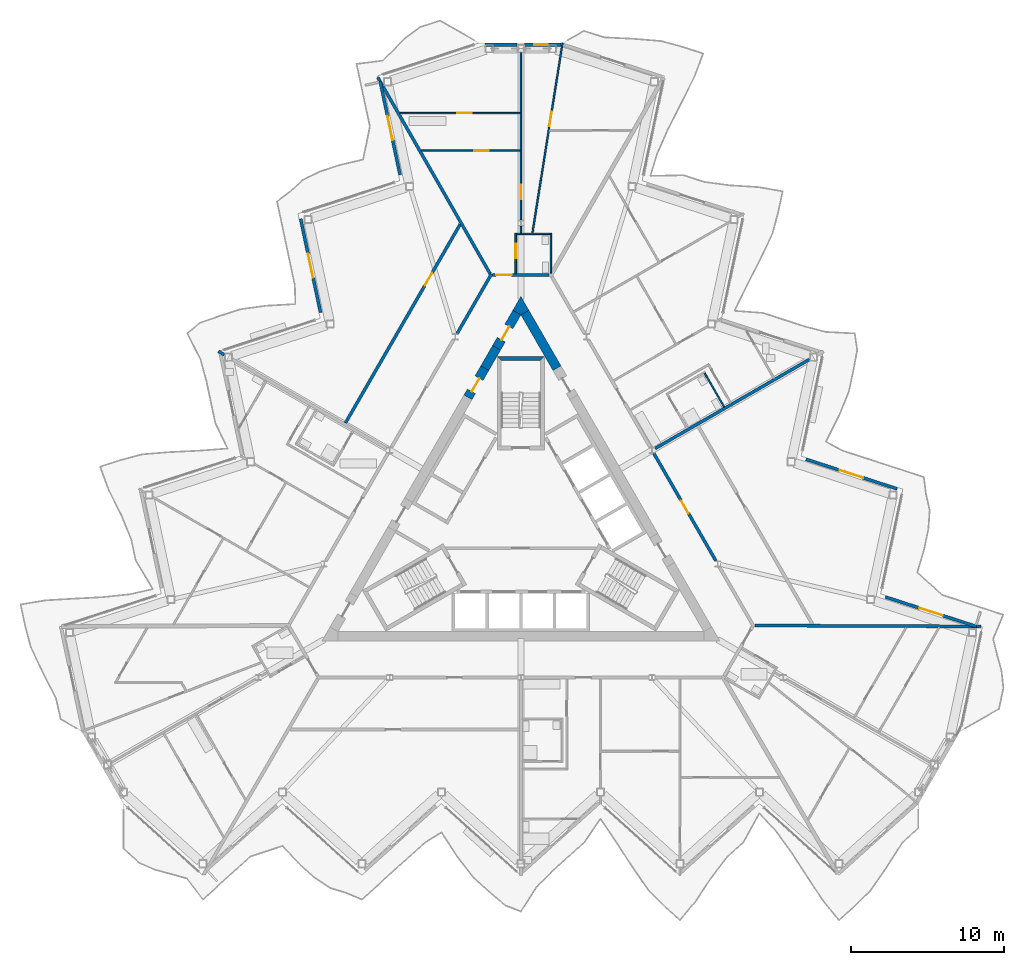
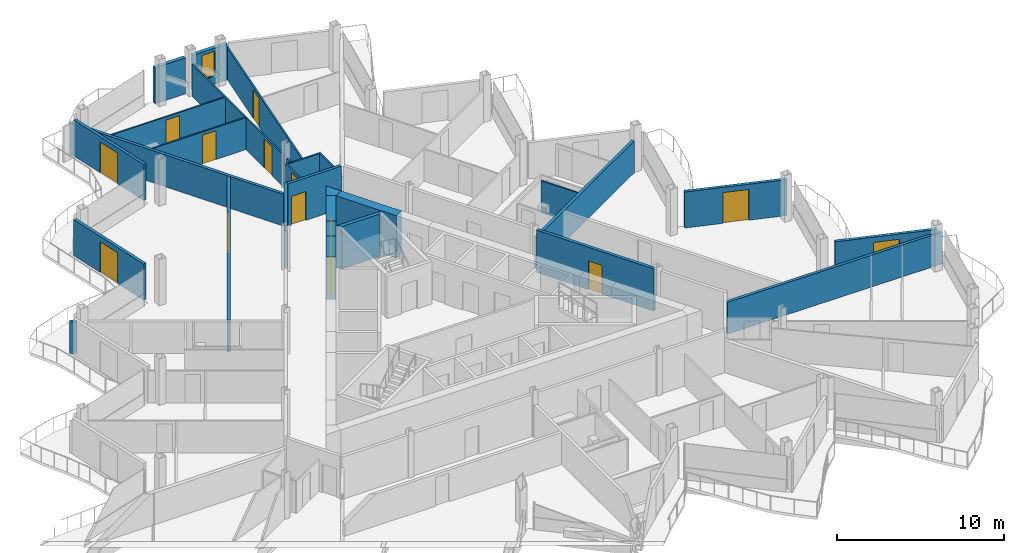
# One storey, part 17 of 27: 29 walls, 14 doors, 1 window, 15 openings.
"""IFC4 building model written with IfcOpenShell, lengths in metres."""

from ifc_helpers import new_model, si_unit, direction, frame, frame_2d, origin, place, context, subcontext, project, spatial, polyline, rectangle, outline, extrude, material, layer, layer_set, type_object, element, fill, save


model = new_model("IFC4")

# Units and contexts
model_context = context("Model", 3, precision=1e-05, world=origin(), true_north=direction((0.0, 1.0)))
body_context = subcontext(model_context, "Body", "Model", "MODEL_VIEW")
ifc_project = project(units=[si_unit("LENGTHUNIT", "METRE"), si_unit("AREAUNIT", "SQUARE_METRE"), si_unit("VOLUMEUNIT", "CUBIC_METRE"), si_unit("PLANEANGLEUNIT", "RADIAN"), si_unit("MASSUNIT", "GRAM", prefix="KILO")], contexts=[model_context])

# Site, building, storey
site_placement = place(None, origin())
site = spatial("IfcSite", under=ifc_project, at=site_placement, CompositionType="ELEMENT")
building_placement = place(site_placement, origin())
building = spatial("IfcBuilding", under=site, at=building_placement, Name="Cormorant Prow Tower", CompositionType="ELEMENT")
storey_placement = place(building_placement, frame((0.0, 0.0, 361.0)))
storey = spatial("IfcBuildingStorey", under=building, at=storey_placement, Name="L80", CompositionType="ELEMENT", Elevation=361.0)

# Walls
ifc_material_1 = material(Name="Concrete 8000 psi", Category="concrete")
ifc_layer_1 = layer(ifc_material_1, 0.60009765625)
ifc_layer_set_1 = layer_set([ifc_layer_1], Name="Concrete 8000 psi")
wall_type_1 = type_object("IfcWallType", Name="Core shear wall 600", PredefinedType="SHEAR", material=ifc_layer_set_1)
wall_1_placement = place(storey_placement, frame((2.36083984375, 10.322021484375, 0.0), z_axis=(0.0, 0.0, 1.0), x_axis=(-0.500000735859, 0.866024978935, 0.0)))
element("IfcWall", 1, at=wall_1_placement, inside=storey, type_object=wall_type_1, Name="Core wall", PredefinedType="SHEAR", context=body_context, shape_type="SweptSolid", body=[
    extrude(rectangle(XDim=4.2021484375, YDim=0.60009765625, at=frame_2d((2.10107421875, 0.0))), origin(), (0.0, 0.0, 1.0), 3.10009765625),
])
wall_2_placement = place(storey_placement, frame((-1.589599609375, 11.65771484375, 0.0), z_axis=(0.0, 0.0, 1.0), x_axis=(-0.500037594623, -0.866003697431, 0.0)))
element("IfcWall", 2, at=wall_2_placement, inside=storey, type_object=wall_type_1, Name="Core wall", PredefinedType="SHEAR", context=body_context, shape_type="SweptSolid", body=[
    extrude(rectangle(XDim=1.54248046875, YDim=0.60009765625, at=frame_2d((0.771240234375, 0.0))), origin(), (0.0, 0.0, 1.0), 3.10009765625),
])
wall_3_placement = place(storey_placement, origin())
element("IfcWall", 3, at=wall_3_placement, inside=storey, type_object=wall_type_1, Name="Core wall corner", PredefinedType="SHEAR", context=body_context, shape_type="SweptSolid", body=[
    extrude(outline(polyline([(0.0, 13.81103515625), (-0.51953125, 14.111083984375), (0.0, 15.010986328125), (0.51953125, 14.111083984375), (0.0, 13.81103515625)])), origin(), (0.0, 0.0, 1.0), 3.10009765625),
])

# Wall, opening, door
wall_4_placement = place(storey_placement, frame((-2.36083984375, 10.322021484375, 0.0), z_axis=(0.0, 0.0, 1.0), x_axis=(-0.499946605688, -0.86605622881, 0.0)))
wall_4 = element("IfcWall", 4, at=wall_4_placement, inside=storey, type_object=wall_type_1, Name="Core wall door panel", PredefinedType="SHEAR", context=body_context, shape_type="SweptSolid", body=[
    extrude(rectangle(XDim=2.199951171875, YDim=0.60009765625, at=frame_2d((1.10009765625, 0.0))), origin(), (0.0, 0.0, 1.0), 3.10009765625),
])
opening_1_placement = place(wall_4_placement, frame((0.75, 0.0, 0.0)))
opening_1 = element("IfcOpeningElement", 5, at=opening_1_placement, cuts=wall_4, Name="Opening L80-C18", PredefinedType="OPENING", context=body_context, shape_type="SweptSolid", body=[
    extrude(rectangle(XDim=1.0, YDim=2.10009765625, at=frame_2d((0.5, 1.050048828125))), frame((0.0, 0.31005859375, 0.0), z_axis=(0.0, -1.0, 0.0), x_axis=(1.0, 0.0, 0.0)), (0.0, 0.0, 1.0), 0.6201171875),
])
ifc_material_2 = material(Name="Painted steel", Category="steel")
door_type_1 = type_object("IfcDoorType", Name="Service door 1000x2100", OperationType="NOTDEFINED", PredefinedType="DOOR", material=ifc_material_2)
door_1_placement = place(opening_1_placement, origin())
door_1 = element("IfcDoor", 6, at=door_1_placement, inside=storey, type_object=door_type_1, Name="Core door, Mechanical riser room", OperationType="SINGLE_SWING_LEFT", OverallHeight=2.10009765625, OverallWidth=1.0, PredefinedType="DOOR", context=body_context, shape_type="SweptSolid", body=[
    extrude(rectangle(XDim=1.0, YDim=2.10009765625, at=frame_2d((0.5, 1.050048828125))), frame((0.0, 0.05517578125, 0.0), z_axis=(0.0, -1.0, 0.0), x_axis=(1.0, 0.0, 0.0)), (0.0, 0.0, 1.0), 0.050048828125),
])
fill(opening_1, door_1)

wall_5_placement = place(storey_placement, frame((-0.259765625, 13.961181640625, 0.0), z_axis=(0.0, 0.0, 1.0), x_axis=(-0.49997936161, -0.866037319036, 0.0)))
wall_5 = element("IfcWall", 7, at=wall_5_placement, inside=storey, type_object=wall_type_1, Name="Core wall door panel", PredefinedType="SHEAR", context=body_context, shape_type="SweptSolid", body=[
    extrude(rectangle(XDim=2.65966796875, YDim=0.60009765625, at=frame_2d((1.329833984375, 0.0))), origin(), (0.0, 0.0, 1.0), 3.10009765625),
])
opening_2_placement = place(wall_5_placement, frame((1.050048828125, 0.0, 0.0)))
opening_2 = element("IfcOpeningElement", 8, at=opening_2_placement, cuts=wall_5, Name="Opening L80-C19", PredefinedType="OPENING", context=body_context, shape_type="SweptSolid", body=[
    extrude(rectangle(XDim=1.0, YDim=2.10009765625, at=frame_2d((0.5, 1.050048828125))), frame((0.0, 0.31005859375, 0.0), z_axis=(0.0, -1.0, 0.0), x_axis=(1.0, 0.0, 0.0)), (0.0, 0.0, 1.0), 0.6201171875),
])
door_2_placement = place(opening_2_placement, origin())
door_2 = element("IfcDoor", 9, at=door_2_placement, inside=storey, type_object=door_type_1, Name="Core door, Mechanical riser room", OperationType="SINGLE_SWING_RIGHT", OverallHeight=2.10009765625, OverallWidth=1.0, PredefinedType="DOOR", context=body_context, shape_type="SweptSolid", body=[
    extrude(rectangle(XDim=1.0, YDim=2.10009765625, at=frame_2d((0.5, 1.050048828125))), frame((0.0, 0.05517578125, 0.0), z_axis=(0.0, -1.0, 0.0), x_axis=(1.0, 0.0, 0.0)), (0.0, 0.0, 1.0), 0.050048828125),
])
fill(opening_2, door_2)

ifc_material_3 = material(Name="Gypsum board corridor wall")
ifc_layer_2 = layer(ifc_material_3, 0.199951171875)
ifc_layer_set_2 = layer_set([ifc_layer_2], Name="Gypsum board corridor wall")
wall_type_2 = type_object("IfcWallType", Name="Corridor wall 200", PredefinedType="PARTITIONING", material=ifc_layer_set_2)
wall_6_placement = place(storey_placement, frame((8.692138671875, 4.755859375, 0.0), z_axis=(0.0, 0.0, 1.0), x_axis=(0.500001682468, -0.866024432409, 0.0)))
wall_6 = element("IfcWall", 10, at=wall_6_placement, inside=storey, type_object=wall_type_2, Name="Corridor wall", PredefinedType="PARTITIONING", context=body_context, shape_type="SweptSolid", body=[
    extrude(rectangle(XDim=8.12353515625, YDim=0.199951171875, at=frame_2d((4.061767578125, 0.0))), origin(), (0.0, 0.0, 1.0), 3.10009765625),
])
opening_3_placement = place(wall_6_placement, frame((3.586669921875, 0.0, 0.0)))
opening_3 = element("IfcOpeningElement", 11, at=opening_3_placement, cuts=wall_6, Name="Opening L80-F18", PredefinedType="OPENING", context=body_context, shape_type="SweptSolid", body=[
    extrude(rectangle(XDim=0.949951171875, YDim=2.10009765625, at=frame_2d((0.47509765625, 1.050048828125))), frame((0.0, 0.10986328125, 0.0), z_axis=(0.0, -1.0, 0.0), x_axis=(1.0, 0.0, 0.0)), (0.0, 0.0, 1.0), 0.219970703125),
])
ifc_material_4 = material(Name="Timber door leaf", Category="wood")
door_type_2 = type_object("IfcDoorType", Name="Store door 950x2100", OperationType="NOTDEFINED", PredefinedType="DOOR", material=ifc_material_4)
door_3_placement = place(opening_3_placement, origin())
door_3 = element("IfcDoor", 12, at=door_3_placement, inside=storey, type_object=door_type_2, Name="Bicycle store door", OperationType="SINGLE_SWING_LEFT", OverallHeight=2.10009765625, OverallWidth=0.949951171875, PredefinedType="DOOR", context=body_context, shape_type="SweptSolid", body=[
    extrude(rectangle(XDim=0.949951171875, YDim=2.10009765625, at=frame_2d((0.47509765625, 1.050048828125))), frame((0.0, 0.02490234375, 0.0), z_axis=(0.0, -1.0, 0.0), x_axis=(1.0, 0.0, 0.0)), (0.0, 0.0, 1.0), 0.050048828125),
])
fill(opening_3, door_3)

# Wall
wall_7_placement = place(storey_placement, frame((-4.175537109375, 12.578857421875, 0.0), z_axis=(0.0, 0.0, 1.0), x_axis=(0.499974648164, 0.866040040179, 0.0)))
element("IfcWall", 13, at=wall_7_placement, inside=storey, type_object=wall_type_2, Name="Corridor wall", PredefinedType="PARTITIONING", context=body_context, shape_type="SweptSolid", body=[
    extrude(rectangle(XDim=4.525146484375, YDim=0.199951171875, at=frame_2d((2.2626953125, 0.0))), origin(), (0.0, 0.0, 1.0), 3.10009765625),
])

# Wall, opening, door
wall_8_placement = place(storey_placement, frame((-1.863037109375, 16.4111328125, 0.0), z_axis=(0.0, 0.0, 1.0), x_axis=(1.0, 0.0, 0.0)))
wall_8 = element("IfcWall", 14, at=wall_8_placement, inside=storey, type_object=wall_type_2, Name="Corridor wall", PredefinedType="PARTITIONING", context=body_context, shape_type="SweptSolid", body=[
    extrude(rectangle(XDim=3.700927734375, YDim=0.199951171875, at=frame_2d((1.8505859375, 0.0))), origin(), (0.0, 0.0, 1.0), 3.10009765625),
])
opening_4_placement = place(wall_8_placement, frame((0.25, 0.0, 0.0)))
opening_4 = element("IfcOpeningElement", 15, at=opening_4_placement, cuts=wall_8, Name="Opening L80-F28", PredefinedType="OPENING", context=body_context, shape_type="SweptSolid", body=[
    extrude(rectangle(XDim=1.0, YDim=2.10009765625, at=frame_2d((0.5, 1.050048828125))), frame((0.0, 0.10986328125, 0.0), z_axis=(0.0, -1.0, 0.0), x_axis=(1.0, 0.0, 0.0)), (0.0, 0.0, 1.0), 0.219970703125),
])
ifc_material_5 = material(Name="Timber door leaf", Category="wood")
door_type_3 = type_object("IfcDoorType", Name="Flat or room entrance door 1000x2100", OperationType="NOTDEFINED", PredefinedType="DOOR", material=ifc_material_5)
door_4_placement = place(opening_4_placement, origin())
door_4 = element("IfcDoor", 16, at=door_4_placement, inside=storey, type_object=door_type_3, Name="Living room door", OperationType="SINGLE_SWING_RIGHT", OverallHeight=2.10009765625, OverallWidth=1.0, PredefinedType="DOOR", context=body_context, shape_type="SweptSolid", body=[
    extrude(rectangle(XDim=1.0, YDim=2.10009765625, at=frame_2d((0.5, 1.050048828125))), frame((0.0, 0.02490234375, 0.0), z_axis=(0.0, -1.0, 0.0), x_axis=(1.0, 0.0, 0.0)), (0.0, 0.0, 1.0), 0.050048828125),
])
fill(opening_4, door_4)

ifc_material_6 = material(Name="Gypsum board demising wall")
ifc_layer_3 = layer(ifc_material_6, 0.199951171875)
ifc_layer_set_3 = layer_set([ifc_layer_3], Name="Gypsum board demising wall")
wall_type_3 = type_object("IfcWallType", Name="Demising wall 200", PredefinedType="PARTITIONING", material=ifc_layer_set_3)
wall_9_placement = place(storey_placement, frame((-11.472900390625, 6.739501953125, 0.0), z_axis=(0.0, 0.0, 1.0), x_axis=(0.499993542657, 0.866029131901, 0.0)))
wall_9 = element("IfcWall", 17, at=wall_9_placement, inside=storey, type_object=wall_type_3, Name="Demising wall", PredefinedType="PARTITIONING", context=body_context, shape_type="SweptSolid", body=[
    extrude(rectangle(XDim=14.993896484375, YDim=0.199951171875, at=frame_2d((7.4970703125, 0.0))), origin(), (0.0, 0.0, 1.0), 2.330078125),
])
opening_5_placement = place(wall_9_placement, frame((10.3828125, 0.0, 0.0)))
opening_5 = element("IfcOpeningElement", 18, at=opening_5_placement, cuts=wall_9, Name="Opening L80-F36", PredefinedType="OPENING", context=body_context, shape_type="SweptSolid", body=[
    extrude(rectangle(XDim=0.949951171875, YDim=2.10009765625, at=frame_2d((0.47509765625, 1.050048828125))), frame((0.0, 0.10986328125, 0.0), z_axis=(0.0, -1.0, 0.0), x_axis=(1.0, 0.0, 0.0)), (0.0, 0.0, 1.0), 0.219970703125),
])
door_5_placement = place(opening_5_placement, origin())
door_5 = element("IfcDoor", 19, at=door_5_placement, inside=storey, type_object=door_type_2, Name="Bicycle store door", OperationType="SINGLE_SWING_RIGHT", OverallHeight=2.10009765625, OverallWidth=0.949951171875, PredefinedType="DOOR", context=body_context, shape_type="SweptSolid", body=[
    extrude(rectangle(XDim=0.949951171875, YDim=2.10009765625, at=frame_2d((0.47509765625, 1.050048828125))), frame((0.0, 0.02490234375, 0.0), z_axis=(0.0, -1.0, 0.0), x_axis=(1.0, 0.0, 0.0)), (0.0, 0.0, 1.0), 0.050048828125),
])
fill(opening_5, door_5)

# Walls
for number, where, z_axis, x_axis, name in (
    (20, (15.2939453125, -6.505859375, 0.0), (0.0, 0.0, 1.0), (0.99999116141, -0.004204414611, 0.0), "Demising wall"),
    (21, (-9.3623046875, 29.352294921875, 0.0), (0.0, 0.0, 1.0), (0.496351997927, -0.868121359116, 0.0), "Demising wall"),
):
    element("IfcWall", number, at=place(storey_placement, frame(where, z_axis=z_axis, x_axis=x_axis)), inside=storey, type_object=wall_type_3, Name=name, PredefinedType="PARTITIONING", context=body_context, shape_type="SweptSolid", body=[
        extrude(rectangle(XDim=14.807373046875, YDim=0.199951171875, at=frame_2d((7.40380859375, 0.0))), origin(), (0.0, 0.0, 1.0), 2.330078125),
    ])
wall_10_placement = place(storey_placement, frame((8.775390625, 5.06640625, 0.0), z_axis=(0.0, 0.0, 1.0), x_axis=(0.866023724155, 0.500002909193, 0.0)))
element("IfcWall", 22, at=wall_10_placement, inside=storey, type_object=wall_type_3, Name="Demising wall", PredefinedType="PARTITIONING", context=body_context, shape_type="SweptSolid", body=[
    extrude(rectangle(XDim=11.65478515625, YDim=0.199951171875, at=frame_2d((5.827392578125, 0.0))), origin(), (0.0, 0.0, 1.0), 2.330078125),
])
wall_11_placement = place(storey_placement, frame((-19.779541015625, 11.419677734375, 0.0), z_axis=(0.0, 0.0, 1.0), x_axis=(0.866104518135, -0.499862944882, 0.0)))
element("IfcWall", 23, at=wall_11_placement, inside=storey, type_object=wall_type_3, Name="Demising wall", PredefinedType="PARTITIONING", context=body_context, shape_type="SweptSolid", body=[
    extrude(rectangle(XDim=0.451416015625, YDim=0.199951171875, at=frame_2d((0.2255859375, 0.0))), origin(), (0.0, 0.0, 1.0), 2.330078125),
])

# Wall, opening, door
ifc_material_7 = material(Name="Gypsum board partition")
ifc_layer_4 = layer(ifc_material_7, 0.10009765625)
ifc_layer_set_4 = layer_set([ifc_layer_4], Name="Gypsum board partition")
wall_type_4 = type_object("IfcWallType", Name="Internal partition 100", PredefinedType="PARTITIONING", material=ifc_layer_set_4)
wall_12_placement = place(storey_placement, frame((0.755126953125, 19.160400390625, 0.0), z_axis=(0.0, 0.0, 1.0), x_axis=(0.15643456532, 0.987688324712, 0.0)))
wall_12 = element("IfcWall", 24, at=wall_12_placement, inside=storey, type_object=wall_type_4, Name="Internal partition", PredefinedType="PARTITIONING", context=body_context, shape_type="SweptSolid", body=[
    extrude(rectangle(XDim=12.58984375, YDim=0.10009765625, at=frame_2d((6.294921875, 0.0))), origin(), (0.0, 0.0, 1.0), 2.330078125),
])
opening_6_placement = place(wall_12_placement, frame((7.074462890625, 0.0, 0.0)))
opening_6 = element("IfcOpeningElement", 25, at=opening_6_placement, cuts=wall_12, Name="Opening L80-F33", PredefinedType="OPENING", context=body_context, shape_type="SweptSolid", body=[
    extrude(rectangle(XDim=0.949951171875, YDim=2.10009765625, at=frame_2d((0.47509765625, 1.050048828125))), frame((0.0, 0.06005859375, 0.0), z_axis=(0.0, -1.0, 0.0), x_axis=(1.0, 0.0, 0.0)), (0.0, 0.0, 1.0), 0.1201171875),
])
ifc_material_8 = material(Name="Timber door leaf", Category="wood")
door_type_4 = type_object("IfcDoorType", Name="Bathroom door 950x2100", OperationType="NOTDEFINED", PredefinedType="DOOR", material=ifc_material_8)
door_6_placement = place(opening_6_placement, origin())
door_6 = element("IfcDoor", 26, at=door_6_placement, inside=storey, type_object=door_type_4, Name="Bedroom door", OperationType="SINGLE_SWING_LEFT", OverallHeight=2.10009765625, OverallWidth=0.949951171875, PredefinedType="DOOR", context=body_context, shape_type="SweptSolid", body=[
    extrude(rectangle(XDim=0.949951171875, YDim=2.10009765625, at=frame_2d((0.47509765625, 1.050048828125))), frame((0.0, 0.02490234375, 0.0), z_axis=(0.0, -1.0, 0.0), x_axis=(1.0, 0.0, 0.0)), (0.0, 0.0, 1.0), 0.050048828125),
])
fill(opening_6, door_6)

wall_13_placement = place(storey_placement, frame((0.0, 20.008056640625, 0.0), z_axis=(0.0, 0.0, 1.0), x_axis=(0.0, 1.0, 0.0)))
wall_13 = element("IfcWall", 27, at=wall_13_placement, inside=storey, type_object=wall_type_4, Name="Internal partition", PredefinedType="PARTITIONING", context=body_context, shape_type="SweptSolid", body=[
    extrude(rectangle(XDim=10.951416015625, YDim=0.10009765625, at=frame_2d((5.4755859375, 0.0))), origin(), (0.0, 0.0, 1.0), 2.330078125),
])
opening_7_placement = place(wall_13_placement, frame((1.35009765625, 0.0, 0.0)))
opening_7 = element("IfcOpeningElement", 28, at=opening_7_placement, cuts=wall_13, Name="Opening L80-F32", PredefinedType="OPENING", context=body_context, shape_type="SweptSolid", body=[
    extrude(rectangle(XDim=0.949951171875, YDim=2.10009765625, at=frame_2d((0.47509765625, 1.050048828125))), frame((0.0, 0.06005859375, 0.0), z_axis=(0.0, -1.0, 0.0), x_axis=(1.0, 0.0, 0.0)), (0.0, 0.0, 1.0), 0.1201171875),
])
door_7_placement = place(opening_7_placement, origin())
door_7 = element("IfcDoor", 29, at=door_7_placement, inside=storey, type_object=door_type_4, Name="Living room door", OperationType="SINGLE_SWING_LEFT", OverallHeight=2.10009765625, OverallWidth=0.949951171875, PredefinedType="DOOR", context=body_context, shape_type="SweptSolid", body=[
    extrude(rectangle(XDim=0.949951171875, YDim=2.10009765625, at=frame_2d((0.47509765625, 1.050048828125))), frame((0.0, 0.02490234375, 0.0), z_axis=(0.0, -1.0, 0.0), x_axis=(1.0, 0.0, 0.0)), (0.0, 0.0, 1.0), 0.050048828125),
])
fill(opening_7, door_7)

wall_14_placement = place(storey_placement, frame((-7.92236328125, 27.008544921875, 0.0), z_axis=(0.0, 0.0, 1.0), x_axis=(1.0, 0.0, 0.0)))
wall_14 = element("IfcWall", 30, at=wall_14_placement, inside=storey, type_object=wall_type_4, Name="Internal partition", PredefinedType="PARTITIONING", context=body_context, shape_type="SweptSolid", body=[
    extrude(rectangle(XDim=7.872314453125, YDim=0.10009765625, at=frame_2d((3.93603515625, 0.0))), origin(), (0.0, 0.0, 1.0), 2.330078125),
])
opening_8_placement = place(wall_14_placement, frame((3.76220703125, 0.0, 0.0)))
opening_8 = element("IfcOpeningElement", 31, at=opening_8_placement, cuts=wall_14, Name="Opening L80-F31", PredefinedType="OPENING", context=body_context, shape_type="SweptSolid", body=[
    extrude(rectangle(XDim=0.949951171875, YDim=2.10009765625, at=frame_2d((0.47509765625, 1.050048828125))), frame((0.0, 0.06005859375, 0.0), z_axis=(0.0, -1.0, 0.0), x_axis=(1.0, 0.0, 0.0)), (0.0, 0.0, 1.0), 0.1201171875),
])
door_8_placement = place(opening_8_placement, origin())
door_8 = element("IfcDoor", 32, at=door_8_placement, inside=storey, type_object=door_type_4, Name="Kitchen door", OperationType="SINGLE_SWING_LEFT", OverallHeight=2.10009765625, OverallWidth=0.949951171875, PredefinedType="DOOR", context=body_context, shape_type="SweptSolid", body=[
    extrude(rectangle(XDim=0.949951171875, YDim=2.10009765625, at=frame_2d((0.47509765625, 1.050048828125))), frame((0.0, 0.02490234375, 0.0), z_axis=(0.0, -1.0, 0.0), x_axis=(1.0, 0.0, 0.0)), (0.0, 0.0, 1.0), 0.050048828125),
])
fill(opening_8, door_8)

wall_15_placement = place(storey_placement, frame((-6.51611328125, 24.54931640625, 0.0), z_axis=(0.0, 0.0, 1.0), x_axis=(1.0, 0.0, 0.0)))
wall_15 = element("IfcWall", 33, at=wall_15_placement, inside=storey, type_object=wall_type_4, Name="Internal partition", PredefinedType="PARTITIONING", context=body_context, shape_type="SweptSolid", body=[
    extrude(rectangle(XDim=6.466064453125, YDim=0.10009765625, at=frame_2d((3.23291015625, 0.0))), origin(), (0.0, 0.0, 1.0), 2.330078125),
])
opening_9_placement = place(wall_15_placement, frame((3.46044921875, 0.0, 0.0)))
opening_9 = element("IfcOpeningElement", 34, at=opening_9_placement, cuts=wall_15, Name="Opening L80-F30", PredefinedType="OPENING", context=body_context, shape_type="SweptSolid", body=[
    extrude(rectangle(XDim=0.949951171875, YDim=2.10009765625, at=frame_2d((0.47509765625, 1.050048828125))), frame((0.0, 0.06005859375, 0.0), z_axis=(0.0, -1.0, 0.0), x_axis=(1.0, 0.0, 0.0)), (0.0, 0.0, 1.0), 0.1201171875),
])
door_9_placement = place(opening_9_placement, origin())
door_9 = element("IfcDoor", 35, at=door_9_placement, inside=storey, type_object=door_type_4, Name="Living room door", OperationType="SINGLE_SWING_LEFT", OverallHeight=2.10009765625, OverallWidth=0.949951171875, PredefinedType="DOOR", context=body_context, shape_type="SweptSolid", body=[
    extrude(rectangle(XDim=0.949951171875, YDim=2.10009765625, at=frame_2d((0.47509765625, 1.050048828125))), frame((0.0, 0.02490234375, 0.0), z_axis=(0.0, -1.0, 0.0), x_axis=(1.0, 0.0, 0.0)), (0.0, 0.0, 1.0), 0.050048828125),
])
fill(opening_9, door_9)

wall_16_placement = place(storey_placement, frame((-0.3369140625, 16.510986328125, 0.0), z_axis=(0.0, 0.0, 1.0), x_axis=(0.0, 1.0, 0.0)))
wall_16 = element("IfcWall", 36, at=wall_16_placement, inside=storey, type_object=wall_type_4, Name="Internal partition", PredefinedType="PARTITIONING", context=body_context, shape_type="SweptSolid", body=[
    extrude(rectangle(XDim=2.650146484375, YDim=0.10009765625, at=frame_2d((1.3251953125, 0.0))), origin(), (0.0, 0.0, 1.0), 2.330078125),
])
opening_10_placement = place(wall_16_placement, frame((1.013671875, 0.0, 0.0)))
opening_10 = element("IfcOpeningElement", 37, at=opening_10_placement, cuts=wall_16, Name="Opening L80-F29", PredefinedType="OPENING", context=body_context, shape_type="SweptSolid", body=[
    extrude(rectangle(XDim=0.949951171875, YDim=2.10009765625, at=frame_2d((0.47509765625, 1.050048828125))), frame((0.0, 0.06005859375, 0.0), z_axis=(0.0, -1.0, 0.0), x_axis=(1.0, 0.0, 0.0)), (0.0, 0.0, 1.0), 0.1201171875),
])
door_10_placement = place(opening_10_placement, origin())
door_10 = element("IfcDoor", 38, at=door_10_placement, inside=storey, type_object=door_type_4, Name="Living room door", OperationType="SINGLE_SWING_RIGHT", OverallHeight=2.10009765625, OverallWidth=0.949951171875, PredefinedType="DOOR", context=body_context, shape_type="SweptSolid", body=[
    extrude(rectangle(XDim=0.949951171875, YDim=2.10009765625, at=frame_2d((0.47509765625, 1.050048828125))), frame((0.0, 0.02490234375, 0.0), z_axis=(0.0, -1.0, 0.0), x_axis=(1.0, 0.0, 0.0)), (0.0, 0.0, 1.0), 0.050048828125),
])
fill(opening_10, door_10)

# Walls
wall_17_placement = place(storey_placement, frame((1.962890625, 16.5361328125, 0.0), z_axis=(0.0, 0.0, 1.0), x_axis=(0.0, 1.0, 0.0)))
element("IfcWall", 39, at=wall_17_placement, inside=storey, type_object=wall_type_4, Name="Internal partition", PredefinedType="PARTITIONING", context=body_context, shape_type="SweptSolid", body=[
    extrude(rectangle(XDim=2.625, YDim=0.10009765625, at=frame_2d((1.3125, 0.0))), origin(), (0.0, 0.0, 1.0), 2.330078125),
])
wall_18_placement = place(storey_placement, frame((12.0166015625, 9.997802734375, 0.0), z_axis=(0.0, 0.0, 1.0), x_axis=(0.499948979701, -0.866054858364, 0.0)))
element("IfcWall", 40, at=wall_18_placement, inside=storey, type_object=wall_type_4, Name="Internal partition", PredefinedType="PARTITIONING", context=body_context, shape_type="SweptSolid", body=[
    extrude(rectangle(XDim=2.550048828125, YDim=0.10009765625, at=frame_2d((1.27490234375, 0.0))), origin(), (0.0, 0.0, 1.0), 2.330078125),
])
wall_19_placement = place(storey_placement, frame((-0.287109375, 19.111083984375, 0.0), z_axis=(0.0, 0.0, 1.0), x_axis=(1.0, 0.0, 0.0)))
element("IfcWall", 41, at=wall_19_placement, inside=storey, type_object=wall_type_4, Name="Internal partition", PredefinedType="PARTITIONING", context=body_context, shape_type="SweptSolid", body=[
    extrude(rectangle(XDim=2.2001953125, YDim=0.10009765625, at=frame_2d((1.10009765625, 0.0))), origin(), (0.0, 0.0, 1.0), 2.330078125),
])
wall_20_placement = place(storey_placement, frame((0.0, 19.1611328125, 0.0), z_axis=(0.0, 0.0, 1.0), x_axis=(0.0, 1.0, 0.0)))
element("IfcWall", 42, at=wall_20_placement, inside=storey, type_object=wall_type_4, Name="Internal partition", PredefinedType="PARTITIONING", context=body_context, shape_type="SweptSolid", body=[
    extrude(rectangle(XDim=0.452880859375, YDim=0.10009765625, at=frame_2d((0.2265625, 0.0))), origin(), (0.0, 0.0, 1.0), 2.330078125),
])
ifc_material_9 = material(Name="Concrete 8000 psi", Category="concrete")
ifc_layer_5 = layer(ifc_material_9, 0.25)
ifc_layer_set_5 = layer_set([ifc_layer_5], Name="Concrete 8000 psi")
wall_type_5 = type_object("IfcWallType", Name="Stair wall 250", PredefinedType="SHEAR", material=ifc_layer_set_5)
wall_21_placement = place(storey_placement, origin())
element("IfcWall", 43, at=wall_21_placement, inside=storey, type_object=wall_type_5, Name="Stair ST3 enclosure wall (end)", PredefinedType="SHEAR", context=body_context, shape_type="SweptSolid", body=[
    extrude(outline(polyline([(1.5439453125, 11.0869140625), (-1.5439453125, 11.0869140625), (-1.2939453125, 10.8369140625), (1.2939453125, 10.8369140625), (1.5439453125, 11.0869140625)])), origin(), (0.0, 0.0, 1.0), 3.10009765625),
])

# Wall, opening, window
ifc_material_10 = material(Name="Terracotta", Category="masonry")
ifc_layer_6 = layer(ifc_material_10, 0.25)
ifc_layer_set_6 = layer_set([ifc_layer_6], Name="Terracotta")
wall_type_6 = type_object("IfcWallType", Name="Terracotta bay wall 250", PredefinedType="SOLIDWALL", material=ifc_layer_set_6)
wall_22_placement = place(storey_placement, frame((2.638427734375, 31.47021484375, 0.0), z_axis=(0.0, 0.0, 1.0), x_axis=(-1.0, 0.0, 0.0)))
wall_22 = element("IfcWall", 44, at=wall_22_placement, inside=storey, type_object=wall_type_6, Name="Terracotta bay wall N00", PredefinedType="SOLIDWALL", context=body_context, shape_type="SweptSolid", body=[
    extrude(rectangle(XDim=2.388427734375, YDim=0.25, at=frame_2d((1.1943359375, 0.0))), origin(), (0.0, 0.0, 1.0), 2.6337890625),
])
opening_11_placement = place(wall_22_placement, frame((0.879638671875, 0.0, 0.60009765625)))
opening_11 = element("IfcOpeningElement", 45, at=opening_11_placement, cuts=wall_22, Name="Opening WN9", PredefinedType="OPENING", context=body_context, shape_type="SweptSolid", body=[
    extrude(rectangle(XDim=0.89990234375, YDim=1.800048828125, at=frame_2d((0.449951171875, 0.89990234375))), frame((0.0, 0.135009765625, 0.0), z_axis=(0.0, -1.0, 0.0), x_axis=(1.0, 0.0, 0.0)), (0.0, 0.0, 1.0), 0.27001953125),
])
ifc_material_11 = material(Name="Aluminium 6063-T6", Category="aluminium")
window_type = type_object("IfcWindowType", Name="Corner bay window 900x1800", PartitioningType="SINGLE_PANEL", PredefinedType="WINDOW", material=ifc_material_11)
window_placement = place(opening_11_placement, origin())
window = element("IfcWindow", 46, at=window_placement, inside=storey, type_object=window_type, Name="Corner bay window N00", OverallHeight=1.800048828125, OverallWidth=0.89990234375, PartitioningType="SINGLE_PANEL", PredefinedType="WINDOW", context=body_context, shape_type="SweptSolid", body=[
    extrude(rectangle(XDim=0.89990234375, YDim=1.800048828125, at=frame_2d((0.449951171875, 0.89990234375))), frame((0.0, 0.030029296875, 0.0), z_axis=(0.0, -1.0, 0.0), x_axis=(1.0, 0.0, 0.0)), (0.0, 0.0, 1.0), 0.06005859375),
])
fill(opening_11, window)

# Wall
wall_23_placement = place(storey_placement, frame((-0.25, 31.47021484375, 0.0), z_axis=(0.0, 0.0, 1.0), x_axis=(-1.0, 0.0, 0.0)))
element("IfcWall", 47, at=wall_23_placement, inside=storey, type_object=wall_type_6, Name="Terracotta bay wall N01", PredefinedType="SOLIDWALL", context=body_context, shape_type="SweptSolid", body=[
    extrude(rectangle(XDim=2.108642578125, YDim=0.25, at=frame_2d((1.05419921875, 0.0))), origin(), (0.0, 0.0, 1.0), 2.6337890625),
])

# Wall, opening, door
ifc_material_12 = material(Name="Terracotta", Category="masonry")
ifc_layer_7 = layer(ifc_material_12, 0.199951171875)
ifc_layer_set_7 = layer_set([ifc_layer_7], Name="Terracotta")
wall_type_7 = type_object("IfcWallType", Name="Terracotta jamb wall 200", PredefinedType="SOLIDWALL", material=ifc_layer_set_7)
wall_24_placement = place(storey_placement, frame((29.800537109375, -6.57568359375, 0.0), z_axis=(0.0, 0.0, 1.0), x_axis=(-0.951060123915, 0.309005891041, 0.0)))
wall_24 = element("IfcWall", 48, at=wall_24_placement, inside=storey, type_object=wall_type_7, Name="Terracotta jamb wall ENE01", PredefinedType="SOLIDWALL", context=body_context, shape_type="SweptSolid", body=[
    extrude(rectangle(XDim=6.265380859375, YDim=0.199951171875, at=frame_2d((3.1328125, 0.0))), origin(), (0.0, 0.0, 1.0), 2.6337890625),
])
opening_12_placement = place(wall_24_placement, frame((2.332763671875, 0.0, 0.0)))
opening_12 = element("IfcOpeningElement", 49, at=opening_12_placement, cuts=wall_24, Name="Opening ED80.06", PredefinedType="OPENING", context=body_context, shape_type="SweptSolid", body=[
    extrude(rectangle(XDim=1.60009765625, YDim=2.25, at=frame_2d((0.800048828125, 1.125))), frame((0.0, 0.10986328125, 0.0), z_axis=(0.0, -1.0, 0.0), x_axis=(1.0, 0.0, 0.0)), (0.0, 0.0, 1.0), 0.219970703125),
])
ifc_material_13 = material(Name="Aluminium 6063-T6", Category="aluminium")
door_type_5 = type_object("IfcDoorType", Name="Balcony door 1600x2250", OperationType="DOUBLE_DOOR_SINGLE_SWING", PredefinedType="DOOR", material=ifc_material_13)
door_11_placement = place(opening_12_placement, origin())
door_11 = element("IfcDoor", 50, at=door_11_placement, inside=storey, type_object=door_type_5, Name="Balcony door ENE01 ED80.06", OperationType="DOUBLE_DOOR_SINGLE_SWING", OverallHeight=2.25, OverallWidth=1.60009765625, PredefinedType="DOOR", context=body_context, shape_type="SweptSolid", body=[
    extrude(rectangle(XDim=1.60009765625, YDim=2.25, at=frame_2d((0.800048828125, 1.125))), frame((0.0, 0.02490234375, 0.0), z_axis=(0.0, -1.0, 0.0), x_axis=(1.0, 0.0, 0.0)), (0.0, 0.0, 1.0), 0.050048828125),
])
fill(opening_12, door_11)

wall_25_placement = place(storey_placement, frame((24.6005859375, 2.43115234375, 0.0), z_axis=(0.0, 0.0, 1.0), x_axis=(-0.951060123915, 0.309005891041, 0.0)))
wall_25 = element("IfcWall", 51, at=wall_25_placement, inside=storey, type_object=wall_type_7, Name="Terracotta jamb wall ENE03", PredefinedType="SOLIDWALL", context=body_context, shape_type="SweptSolid", body=[
    extrude(rectangle(XDim=6.265380859375, YDim=0.199951171875, at=frame_2d((3.1328125, 0.0))), origin(), (0.0, 0.0, 1.0), 2.6337890625),
])
opening_13_placement = place(wall_25_placement, frame((2.332763671875, 0.0, 0.0)))
opening_13 = element("IfcOpeningElement", 52, at=opening_13_placement, cuts=wall_25, Name="Opening ED80.07", PredefinedType="OPENING", context=body_context, shape_type="SweptSolid", body=[
    extrude(rectangle(XDim=1.60009765625, YDim=2.25, at=frame_2d((0.800048828125, 1.125))), frame((0.0, 0.10986328125, 0.0), z_axis=(0.0, -1.0, 0.0), x_axis=(1.0, 0.0, 0.0)), (0.0, 0.0, 1.0), 0.219970703125),
])
door_12_placement = place(opening_13_placement, origin())
door_12 = element("IfcDoor", 53, at=door_12_placement, inside=storey, type_object=door_type_5, Name="Balcony door ENE03 ED80.07", OperationType="DOUBLE_DOOR_SINGLE_SWING", OverallHeight=2.25, OverallWidth=1.60009765625, PredefinedType="DOOR", context=body_context, shape_type="SweptSolid", body=[
    extrude(rectangle(XDim=1.60009765625, YDim=2.25, at=frame_2d((0.800048828125, 1.125))), frame((0.0, 0.02490234375, 0.0), z_axis=(0.0, -1.0, 0.0), x_axis=(1.0, 0.0, 0.0)), (0.0, 0.0, 1.0), 0.050048828125),
])
fill(opening_13, door_12)

wall_26_placement = place(storey_placement, frame((-9.20556640625, 29.095947265625, 0.0), z_axis=(0.0, 0.0, 1.0), x_axis=(0.207889514624, -0.978152314167, 0.0)))
wall_26 = element("IfcWall", 54, at=wall_26_placement, inside=storey, type_object=wall_type_7, Name="Terracotta jamb wall WNW01", PredefinedType="SOLIDWALL", context=body_context, shape_type="SweptSolid", body=[
    extrude(rectangle(XDim=6.265380859375, YDim=0.199951171875, at=frame_2d((3.1328125, 0.0))), origin(), (0.0, 0.0, 1.0), 2.6337890625),
])
opening_14_placement = place(wall_26_placement, frame((2.332763671875, 0.0, 0.0)))
opening_14 = element("IfcOpeningElement", 55, at=opening_14_placement, cuts=wall_26, Name="Opening ED80.11", PredefinedType="OPENING", context=body_context, shape_type="SweptSolid", body=[
    extrude(rectangle(XDim=1.60009765625, YDim=2.25, at=frame_2d((0.800048828125, 1.125))), frame((0.0, 0.10986328125, 0.0), z_axis=(0.0, -1.0, 0.0), x_axis=(1.0, 0.0, 0.0)), (0.0, 0.0, 1.0), 0.219970703125),
])
door_13_placement = place(opening_14_placement, origin())
door_13 = element("IfcDoor", 56, at=door_13_placement, inside=storey, type_object=door_type_5, Name="Balcony door WNW01 ED80.11", OperationType="DOUBLE_DOOR_SINGLE_SWING", OverallHeight=2.25, OverallWidth=1.60009765625, PredefinedType="DOOR", context=body_context, shape_type="SweptSolid", body=[
    extrude(rectangle(XDim=1.60009765625, YDim=2.25, at=frame_2d((0.800048828125, 1.125))), frame((0.0, 0.02490234375, 0.0), z_axis=(0.0, -1.0, 0.0), x_axis=(1.0, 0.0, 0.0)), (0.0, 0.0, 1.0), 0.050048828125),
])
fill(opening_14, door_13)

wall_27_placement = place(storey_placement, frame((-14.405517578125, 20.089111328125, 0.0), z_axis=(0.0, 0.0, 1.0), x_axis=(0.207889514624, -0.978152314167, 0.0)))
wall_27 = element("IfcWall", 57, at=wall_27_placement, inside=storey, type_object=wall_type_7, Name="Terracotta jamb wall WNW03", PredefinedType="SOLIDWALL", context=body_context, shape_type="SweptSolid", body=[
    extrude(rectangle(XDim=6.265380859375, YDim=0.199951171875, at=frame_2d((3.1328125, 0.0))), origin(), (0.0, 0.0, 1.0), 2.6337890625),
])
opening_15_placement = place(wall_27_placement, frame((2.332763671875, 0.0, 0.0)))
opening_15 = element("IfcOpeningElement", 58, at=opening_15_placement, cuts=wall_27, Name="Opening ED80.12", PredefinedType="OPENING", context=body_context, shape_type="SweptSolid", body=[
    extrude(rectangle(XDim=1.60009765625, YDim=2.25, at=frame_2d((0.800048828125, 1.125))), frame((0.0, 0.10986328125, 0.0), z_axis=(0.0, -1.0, 0.0), x_axis=(1.0, 0.0, 0.0)), (0.0, 0.0, 1.0), 0.219970703125),
])
door_14_placement = place(opening_15_placement, origin())
door_14 = element("IfcDoor", 59, at=door_14_placement, inside=storey, type_object=door_type_5, Name="Balcony door WNW03 ED80.12", OperationType="DOUBLE_DOOR_SINGLE_SWING", OverallHeight=2.25, OverallWidth=1.60009765625, PredefinedType="DOOR", context=body_context, shape_type="SweptSolid", body=[
    extrude(rectangle(XDim=1.60009765625, YDim=2.25, at=frame_2d((0.800048828125, 1.125))), frame((0.0, 0.02490234375, 0.0), z_axis=(0.0, -1.0, 0.0), x_axis=(1.0, 0.0, 0.0)), (0.0, 0.0, 1.0), 0.050048828125),
])
fill(opening_15, door_14)

save(model, "model.ifc")
